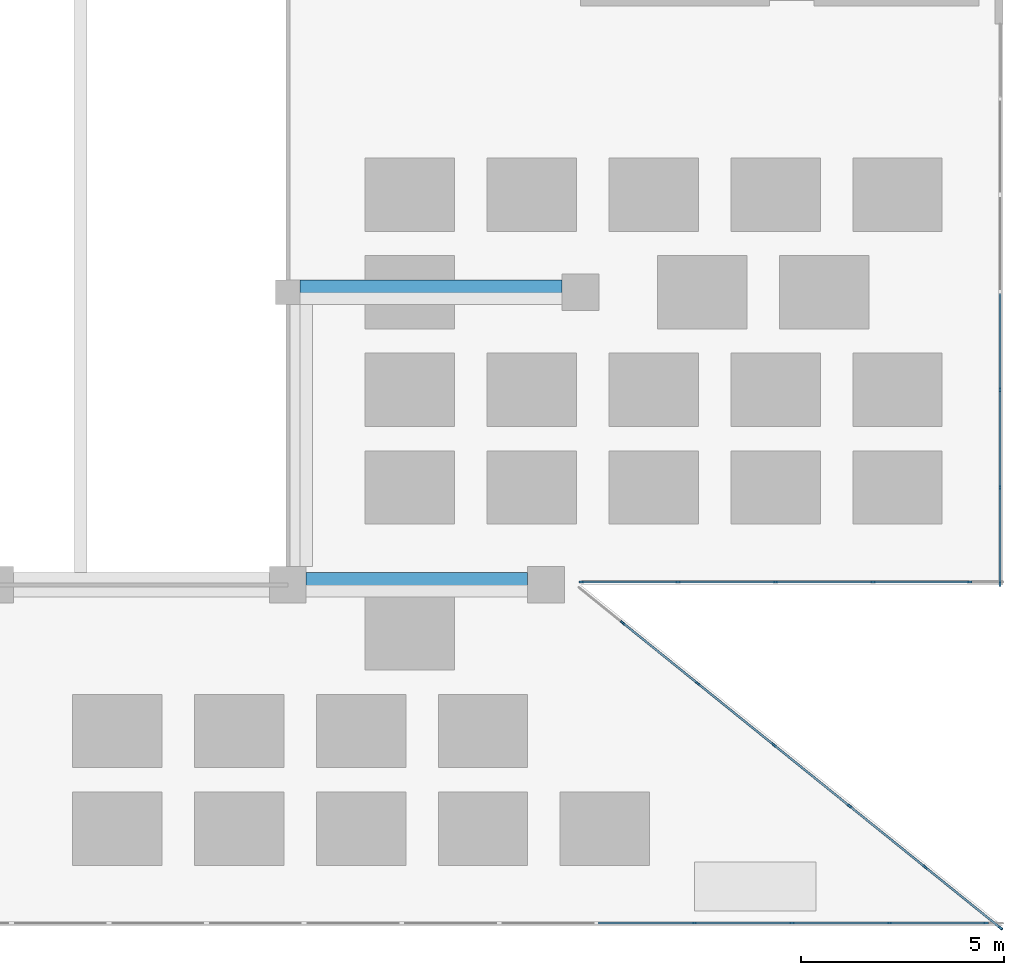
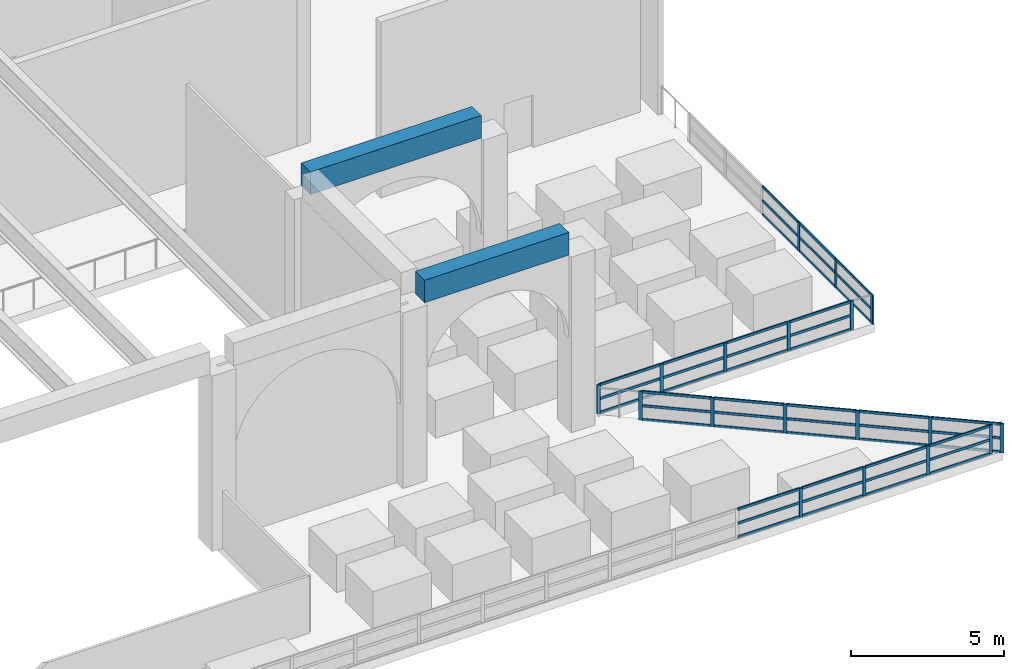
# One storey, part 7 of 17: 66 members, 2 beams, 4 elements without a shape of their own.
"""IFC4 building model written with IfcOpenShell, lengths in metres."""

from ifc_helpers import new_model, si_unit, direction, frame, origin, origin_2d, place, context, subcontext, project, spatial, rectangle, extrude, source, transform, mapped, material, layer, layer_set, material_profile, profile_set, type_object, element, aggregate, save


model = new_model("IFC4")

# Units and contexts
model_context = context("Model", 3, precision=1e-05, world=origin(), true_north=direction((0.0, 1.0)))
body_context = subcontext(model_context, "Body", "Model", "MODEL_VIEW")
ifc_project = project(units=[si_unit("LENGTHUNIT", "METRE"), si_unit("AREAUNIT", "SQUARE_METRE"), si_unit("VOLUMEUNIT", "CUBIC_METRE"), si_unit("PLANEANGLEUNIT", "RADIAN"), si_unit("MASSUNIT", "GRAM", prefix="KILO")], contexts=[model_context])

# Site, building, storey
site_placement = place(None, origin())
site = spatial("IfcSite", under=ifc_project, at=site_placement, CompositionType="ELEMENT")
building_placement = place(site_placement, origin())
building = spatial("IfcBuilding", under=site, at=building_placement, Name="Saffron Iwan Residences", CompositionType="ELEMENT")
storey_placement = place(building_placement, frame((0.0, 0.0, 274.5)))
storey = spatial("IfcBuildingStorey", under=building, at=storey_placement, Name="L74", CompositionType="ELEMENT", Elevation=274.5)

# Beams
ifc_material_1 = material(Name="Concrete C40/50", Category="concrete")
ifc_material_profile_1 = material_profile(ifc_material_1, rectangle(XDim=0.60009765625, YDim=0.89990234375, at=origin_2d()), Name="RC 600x900")
ifc_profile_set_1 = profile_set([ifc_material_profile_1], Name="Concrete C40/50")
beam_type = type_object("IfcBeamType", Name="BEAM RC 600x900 C40/50 TOP 7900", PredefinedType="BEAM", material=ifc_profile_set_1)
shared_shape_1 = source(origin(), body_context, "Body", "SweptSolid", [
    extrude(rectangle(XDim=0.60009765625, YDim=0.89990234375, at=origin_2d()), origin(), (0.0, 0.0, 1.0), 6.449951171875),
])
beam_1_placement = place(storey_placement, frame((65.10009765625, 55.199951171875, 7.449951171875), z_axis=(1.0, 0.0, 0.0), x_axis=(0.0, 1.0, 0.0)))
element("IfcBeam", 1, at=beam_1_placement, inside=storey, type_object=beam_type, Name="Canopy beam", PredefinedType="BEAM", context=body_context, shape_type="MappedRepresentation", body=[
    mapped(shared_shape_1, transform((0.0, 0.0, 0.0))),
])
shared_shape_2 = source(origin(), body_context, "Body", "SweptSolid", [
    extrude(rectangle(XDim=0.60009765625, YDim=0.89990234375, at=origin_2d()), origin(), (0.0, 0.0, 1.0), 5.449951171875),
])
beam_2_placement = place(storey_placement, frame((70.699951171875, 48.0, 7.449951171875), z_axis=(-1.0, 0.0, 0.0), x_axis=(0.0, -1.0, 0.0)))
element("IfcBeam", 2, at=beam_2_placement, inside=storey, type_object=beam_type, Name="Crown ring beam", PredefinedType="BEAM", context=body_context, shape_type="MappedRepresentation", body=[
    mapped(shared_shape_2, transform((0.0, 0.0, 0.0))),
])

# Curtain wall, members
ifc_material_2 = material(Name="Clear glass, laminated double glazed", Category="glass")
ifc_layer = layer(ifc_material_2, 0.10009765625)
ifc_layer_set = layer_set([ifc_layer], Name="Clear glass, laminated double glazed")
curtain_wall_type = type_object("IfcCurtainWallType", Name="CW-F ROOF TERRACE GLAZED GUARD", PredefinedType="NOTDEFINED", material=ifc_layer_set)
curtain_wall_1_placement = place(storey_placement, origin())
curtain_wall_1 = element("IfcCurtainWall", 3, at=curtain_wall_1_placement, inside=storey, type_object=curtain_wall_type, Name="Glazed terrace guard F0.0", PredefinedType="NOTDEFINED")
ifc_material_3 = material(Name="Aluminium 6063-T6", Category="aluminium")
ifc_material_profile_2 = material_profile(ifc_material_3, rectangle(XDim=0.050048828125, YDim=0.1201171875, at=origin_2d()), Name="CW-F MULLION 50 x 120")
ifc_profile_set_2 = profile_set([ifc_material_profile_2], Name="Aluminium 6063-T6")
member_type_1 = type_object("IfcMemberType", Name="CW-F MULLION 50 x 120", PredefinedType="MULLION", material=ifc_profile_set_2)
shared_shape_3 = source(origin(), body_context, "Body", "SweptSolid", [
    extrude(rectangle(XDim=0.050048828125, YDim=0.1201171875, at=origin_2d()), origin(), (0.0, 0.0, 1.0), 1.14990234375),
])
member_1_placement = place(storey_placement, frame((82.33349609375, 39.557373046875, 0.0), z_axis=(0.0, 0.0, 1.0), x_axis=(-0.628337107158, -0.777941180147, 0.0)))
member_1 = element("IfcMember", 4, at=member_1_placement, type_object=member_type_1, Name="CW-F mullion 1", PredefinedType="MULLION", context=body_context, shape_type="MappedRepresentation", body=[
    mapped(shared_shape_3, transform((0.0, 0.0, 0.0))),
])
member_2_placement = place(storey_placement, frame((80.48583984375, 41.049560546875, 0.0), z_axis=(0.0, 0.0, 1.0), x_axis=(-0.628337107158, -0.777941180147, 0.0)))
member_2 = element("IfcMember", 5, at=member_2_placement, type_object=member_type_1, Name="CW-F mullion 2", PredefinedType="MULLION", context=body_context, shape_type="MappedRepresentation", body=[
    mapped(shared_shape_3, transform((0.0, 0.0, 0.0))),
])
member_3_placement = place(storey_placement, frame((78.61865234375, 42.5576171875, 0.0), z_axis=(0.0, 0.0, 1.0), x_axis=(-0.628337107158, -0.777941180147, 0.0)))
member_3 = element("IfcMember", 6, at=member_3_placement, type_object=member_type_1, Name="CW-F mullion 3", PredefinedType="MULLION", context=body_context, shape_type="MappedRepresentation", body=[
    mapped(shared_shape_3, transform((0.0, 0.0, 0.0))),
])
member_4_placement = place(storey_placement, frame((76.751708984375, 44.065673828125, 0.0), z_axis=(0.0, 0.0, 1.0), x_axis=(-0.628337107158, -0.777941180147, 0.0)))
member_4 = element("IfcMember", 7, at=member_4_placement, type_object=member_type_1, Name="CW-F mullion 4", PredefinedType="MULLION", context=body_context, shape_type="MappedRepresentation", body=[
    mapped(shared_shape_3, transform((0.0, 0.0, 0.0))),
])
member_5_placement = place(storey_placement, frame((74.884521484375, 45.57373046875, 0.0), z_axis=(0.0, 0.0, 1.0), x_axis=(-0.628337107158, -0.777941180147, 0.0)))
member_5 = element("IfcMember", 8, at=member_5_placement, type_object=member_type_1, Name="CW-F mullion 5", PredefinedType="MULLION", context=body_context, shape_type="MappedRepresentation", body=[
    mapped(shared_shape_3, transform((0.0, 0.0, 0.0))),
])
member_6_placement = place(storey_placement, frame((73.037109375, 47.06591796875, 0.0), z_axis=(0.0, 0.0, 1.0), x_axis=(-0.628337107158, -0.777941180147, 0.0)))
member_6 = element("IfcMember", 9, at=member_6_placement, type_object=member_type_1, Name="CW-F mullion 6", PredefinedType="MULLION", context=body_context, shape_type="MappedRepresentation", body=[
    mapped(shared_shape_3, transform((0.0, 0.0, 0.0))),
])

curtain_wall_2_placement = place(storey_placement, origin())
curtain_wall_2 = element("IfcCurtainWall", 10, at=curtain_wall_2_placement, inside=storey, type_object=curtain_wall_type, Name="Glazed terrace guard F1.2", PredefinedType="NOTDEFINED")
member_7_placement = place(storey_placement, frame((72.02490234375, 48.074951171875, 0.0), z_axis=(0.0, 0.0, 1.0), x_axis=(0.0, 1.0, 0.0)))
member_7 = element("IfcMember", 11, at=member_7_placement, type_object=member_type_1, Name="CW-F mullion 1", PredefinedType="MULLION", context=body_context, shape_type="MappedRepresentation", body=[
    mapped(shared_shape_3, transform((0.0, 0.0, 0.0))),
])
member_8_placement = place(storey_placement, frame((74.39990234375, 48.074951171875, 0.0), z_axis=(0.0, 0.0, 1.0), x_axis=(0.0, 1.0, 0.0)))
member_8 = element("IfcMember", 12, at=member_8_placement, type_object=member_type_1, Name="CW-F mullion 2", PredefinedType="MULLION", context=body_context, shape_type="MappedRepresentation", body=[
    mapped(shared_shape_3, transform((0.0, 0.0, 0.0))),
])
member_9_placement = place(storey_placement, frame((76.800048828125, 48.074951171875, 0.0), z_axis=(0.0, 0.0, 1.0), x_axis=(0.0, 1.0, 0.0)))
member_9 = element("IfcMember", 13, at=member_9_placement, type_object=member_type_1, Name="CW-F mullion 3", PredefinedType="MULLION", context=body_context, shape_type="MappedRepresentation", body=[
    mapped(shared_shape_3, transform((0.0, 0.0, 0.0))),
])
member_10_placement = place(storey_placement, frame((79.199951171875, 48.074951171875, 0.0), z_axis=(0.0, 0.0, 1.0), x_axis=(0.0, 1.0, 0.0)))
member_10 = element("IfcMember", 14, at=member_10_placement, type_object=member_type_1, Name="CW-F mullion 4", PredefinedType="MULLION", context=body_context, shape_type="MappedRepresentation", body=[
    mapped(shared_shape_3, transform((0.0, 0.0, 0.0))),
])
member_11_placement = place(storey_placement, frame((81.574951171875, 48.074951171875, 0.0), z_axis=(0.0, 0.0, 1.0), x_axis=(0.0, 1.0, 0.0)))
member_11 = element("IfcMember", 15, at=member_11_placement, type_object=member_type_1, Name="CW-F mullion 5", PredefinedType="MULLION", context=body_context, shape_type="MappedRepresentation", body=[
    mapped(shared_shape_3, transform((0.0, 0.0, 0.0))),
])

curtain_wall_3_placement = place(storey_placement, origin())
curtain_wall_3 = element("IfcCurtainWall", 16, at=curtain_wall_3_placement, inside=storey, type_object=curtain_wall_type, Name="Glazed terrace guard F2.4", PredefinedType="NOTDEFINED")
member_12_placement = place(storey_placement, frame((82.324951171875, 48.02490234375, 0.0), z_axis=(0.0, 0.0, 1.0), x_axis=(-1.0, 0.0, 0.0)))
member_12 = element("IfcMember", 17, at=member_12_placement, type_object=member_type_1, Name="CW-F mullion 1", PredefinedType="MULLION", context=body_context, shape_type="MappedRepresentation", body=[
    mapped(shared_shape_3, transform((0.0, 0.0, 0.0))),
])
member_13_placement = place(storey_placement, frame((82.324951171875, 50.39990234375, 0.0), z_axis=(0.0, 0.0, 1.0), x_axis=(-1.0, 0.0, 0.0)))
member_13 = element("IfcMember", 18, at=member_13_placement, type_object=member_type_1, Name="CW-F mullion 2", PredefinedType="MULLION", context=body_context, shape_type="MappedRepresentation", body=[
    mapped(shared_shape_3, transform((0.0, 0.0, 0.0))),
])
member_14_placement = place(storey_placement, frame((82.324951171875, 52.800048828125, 0.0), z_axis=(0.0, 0.0, 1.0), x_axis=(-1.0, 0.0, 0.0)))
member_14 = element("IfcMember", 19, at=member_14_placement, type_object=member_type_1, Name="CW-F mullion 3", PredefinedType="MULLION", context=body_context, shape_type="MappedRepresentation", body=[
    mapped(shared_shape_3, transform((0.0, 0.0, 0.0))),
])

curtain_wall_4_placement = place(storey_placement, origin())
curtain_wall_4 = element("IfcCurtainWall", 20, at=curtain_wall_4_placement, inside=storey, type_object=curtain_wall_type, Name="Glazed terrace guard F11.12", PredefinedType="NOTDEFINED")
member_15_placement = place(storey_placement, frame((74.800048828125, 39.675048828125, 0.0), z_axis=(0.0, 0.0, 1.0), x_axis=(0.0, 1.0, 0.0)))
member_15 = element("IfcMember", 21, at=member_15_placement, type_object=member_type_1, Name="CW-F mullion 23", PredefinedType="MULLION", context=body_context, shape_type="MappedRepresentation", body=[
    mapped(shared_shape_3, transform((0.0, 0.0, 0.0))),
])
member_16_placement = place(storey_placement, frame((77.199951171875, 39.675048828125, 0.0), z_axis=(0.0, 0.0, 1.0), x_axis=(0.0, 1.0, 0.0)))
member_16 = element("IfcMember", 22, at=member_16_placement, type_object=member_type_1, Name="CW-F mullion 24", PredefinedType="MULLION", context=body_context, shape_type="MappedRepresentation", body=[
    mapped(shared_shape_3, transform((0.0, 0.0, 0.0))),
])
member_17_placement = place(storey_placement, frame((79.60009765625, 39.675048828125, 0.0), z_axis=(0.0, 0.0, 1.0), x_axis=(0.0, 1.0, 0.0)))
member_17 = element("IfcMember", 23, at=member_17_placement, type_object=member_type_1, Name="CW-F mullion 25", PredefinedType="MULLION", context=body_context, shape_type="MappedRepresentation", body=[
    mapped(shared_shape_3, transform((0.0, 0.0, 0.0))),
])
member_18_placement = place(storey_placement, frame((81.97509765625, 39.675048828125, 0.0), z_axis=(0.0, 0.0, 1.0), x_axis=(0.0, 1.0, 0.0)))
member_18 = element("IfcMember", 24, at=member_18_placement, type_object=member_type_1, Name="CW-F mullion 26", PredefinedType="MULLION", context=body_context, shape_type="MappedRepresentation", body=[
    mapped(shared_shape_3, transform((0.0, 0.0, 0.0))),
])

# Member
ifc_material_profile_3 = material_profile(ifc_material_3, rectangle(XDim=0.050048828125, YDim=0.10009765625, at=origin_2d()), Name="CW-F TRANSOM 50 x 100")
ifc_profile_set_3 = profile_set([ifc_material_profile_3], Name="Aluminium 6063-T6")
member_type_2 = type_object("IfcMemberType", Name="CW-F TRANSOM 50 x 100", PredefinedType="USERDEFINED", material=ifc_profile_set_3)
shared_shape_4 = source(origin(), body_context, "Body", "SweptSolid", [
    extrude(rectangle(XDim=0.050048828125, YDim=0.10009765625, at=origin_2d()), origin(), (0.0, 0.0, 1.0), 2.324951171875),
])
member_19_placement = place(storey_placement, frame((82.31396484375, 39.572998046875, 0.02490234375), z_axis=(-0.777909591793, 0.628376214537, 0.0), x_axis=(-0.628376214537, -0.777909591793, 0.0)))
member_19 = element("IfcMember", 25, at=member_19_placement, type_object=member_type_2, Name="CW-F transom 1.1", ObjectType="TRANSOM", PredefinedType="USERDEFINED", context=body_context, shape_type="MappedRepresentation", body=[
    mapped(shared_shape_4, transform((0.0, 0.0, 0.0))),
])

member_20_placement = place(storey_placement, frame((82.31396484375, 39.572998046875, 0.574951171875), z_axis=(-0.777909591793, 0.628376214537, 0.0), x_axis=(-0.628376214537, -0.777909591793, 0.0)))
member_20 = element("IfcMember", 26, at=member_20_placement, type_object=member_type_2, Name="CW-F transom 1.2", ObjectType="TRANSOM", PredefinedType="USERDEFINED", context=body_context, shape_type="MappedRepresentation", body=[
    mapped(shared_shape_4, transform((0.0, 0.0, 0.0))),
])

member_21_placement = place(storey_placement, frame((82.31396484375, 39.572998046875, 1.125), z_axis=(-0.777909591793, 0.628376214537, 0.0), x_axis=(-0.628376214537, -0.777909591793, 0.0)))
member_21 = element("IfcMember", 27, at=member_21_placement, type_object=member_type_2, Name="CW-F transom 1.3", ObjectType="TRANSOM", PredefinedType="USERDEFINED", context=body_context, shape_type="MappedRepresentation", body=[
    mapped(shared_shape_4, transform((0.0, 0.0, 0.0))),
])

member_22_placement = place(storey_placement, frame((72.050048828125, 48.074951171875, 0.02490234375), z_axis=(1.0, 0.0, 0.0), x_axis=(0.0, 1.0, 0.0)))
member_22 = element("IfcMember", 28, at=member_22_placement, type_object=member_type_2, Name="CW-F transom 1.1", ObjectType="TRANSOM", PredefinedType="USERDEFINED", context=body_context, shape_type="MappedRepresentation", body=[
    mapped(shared_shape_4, transform((0.0, 0.0, 0.0))),
])

member_23_placement = place(storey_placement, frame((72.050048828125, 48.074951171875, 0.574951171875), z_axis=(1.0, 0.0, 0.0), x_axis=(0.0, 1.0, 0.0)))
member_23 = element("IfcMember", 29, at=member_23_placement, type_object=member_type_2, Name="CW-F transom 1.2", ObjectType="TRANSOM", PredefinedType="USERDEFINED", context=body_context, shape_type="MappedRepresentation", body=[
    mapped(shared_shape_4, transform((0.0, 0.0, 0.0))),
])

member_24_placement = place(storey_placement, frame((72.050048828125, 48.074951171875, 1.125), z_axis=(1.0, 0.0, 0.0), x_axis=(0.0, 1.0, 0.0)))
member_24 = element("IfcMember", 30, at=member_24_placement, type_object=member_type_2, Name="CW-F transom 1.3", ObjectType="TRANSOM", PredefinedType="USERDEFINED", context=body_context, shape_type="MappedRepresentation", body=[
    mapped(shared_shape_4, transform((0.0, 0.0, 0.0))),
])

member_25_placement = place(storey_placement, frame((79.22509765625, 48.074951171875, 0.02490234375), z_axis=(1.0, 0.0, 0.0), x_axis=(0.0, 1.0, 0.0)))
member_25 = element("IfcMember", 31, at=member_25_placement, type_object=member_type_2, Name="CW-F transom 4.1", ObjectType="TRANSOM", PredefinedType="USERDEFINED", context=body_context, shape_type="MappedRepresentation", body=[
    mapped(shared_shape_4, transform((0.0, 0.0, 0.0))),
])

member_26_placement = place(storey_placement, frame((79.22509765625, 48.074951171875, 0.574951171875), z_axis=(1.0, 0.0, 0.0), x_axis=(0.0, 1.0, 0.0)))
member_26 = element("IfcMember", 32, at=member_26_placement, type_object=member_type_2, Name="CW-F transom 4.2", ObjectType="TRANSOM", PredefinedType="USERDEFINED", context=body_context, shape_type="MappedRepresentation", body=[
    mapped(shared_shape_4, transform((0.0, 0.0, 0.0))),
])

member_27_placement = place(storey_placement, frame((79.22509765625, 48.074951171875, 1.125), z_axis=(1.0, 0.0, 0.0), x_axis=(0.0, 1.0, 0.0)))
member_27 = element("IfcMember", 33, at=member_27_placement, type_object=member_type_2, Name="CW-F transom 4.3", ObjectType="TRANSOM", PredefinedType="USERDEFINED", context=body_context, shape_type="MappedRepresentation", body=[
    mapped(shared_shape_4, transform((0.0, 0.0, 0.0))),
])

member_28_placement = place(storey_placement, frame((82.324951171875, 48.050048828125, 0.02490234375), z_axis=(0.0, 1.0, 0.0), x_axis=(-1.0, 0.0, 0.0)))
member_28 = element("IfcMember", 34, at=member_28_placement, type_object=member_type_2, Name="CW-F transom 1.1", ObjectType="TRANSOM", PredefinedType="USERDEFINED", context=body_context, shape_type="MappedRepresentation", body=[
    mapped(shared_shape_4, transform((0.0, 0.0, 0.0))),
])

member_29_placement = place(storey_placement, frame((82.324951171875, 48.050048828125, 0.574951171875), z_axis=(0.0, 1.0, 0.0), x_axis=(-1.0, 0.0, 0.0)))
member_29 = element("IfcMember", 35, at=member_29_placement, type_object=member_type_2, Name="CW-F transom 1.2", ObjectType="TRANSOM", PredefinedType="USERDEFINED", context=body_context, shape_type="MappedRepresentation", body=[
    mapped(shared_shape_4, transform((0.0, 0.0, 0.0))),
])

member_30_placement = place(storey_placement, frame((82.324951171875, 48.050048828125, 1.125), z_axis=(0.0, 1.0, 0.0), x_axis=(-1.0, 0.0, 0.0)))
member_30 = element("IfcMember", 36, at=member_30_placement, type_object=member_type_2, Name="CW-F transom 1.3", ObjectType="TRANSOM", PredefinedType="USERDEFINED", context=body_context, shape_type="MappedRepresentation", body=[
    mapped(shared_shape_4, transform((0.0, 0.0, 0.0))),
])

member_31_placement = place(storey_placement, frame((79.625, 39.675048828125, 0.02490234375), z_axis=(1.0, 0.0, 0.0), x_axis=(0.0, 1.0, 0.0)))
member_31 = element("IfcMember", 37, at=member_31_placement, type_object=member_type_2, Name="CW-F transom 25.1", ObjectType="TRANSOM", PredefinedType="USERDEFINED", context=body_context, shape_type="MappedRepresentation", body=[
    mapped(shared_shape_4, transform((0.0, 0.0, 0.0))),
])

member_32_placement = place(storey_placement, frame((79.625, 39.675048828125, 0.574951171875), z_axis=(1.0, 0.0, 0.0), x_axis=(0.0, 1.0, 0.0)))
member_32 = element("IfcMember", 38, at=member_32_placement, type_object=member_type_2, Name="CW-F transom 25.2", ObjectType="TRANSOM", PredefinedType="USERDEFINED", context=body_context, shape_type="MappedRepresentation", body=[
    mapped(shared_shape_4, transform((0.0, 0.0, 0.0))),
])

member_33_placement = place(storey_placement, frame((79.625, 39.675048828125, 1.125), z_axis=(1.0, 0.0, 0.0), x_axis=(0.0, 1.0, 0.0)))
member_33 = element("IfcMember", 39, at=member_33_placement, type_object=member_type_2, Name="CW-F transom 25.3", ObjectType="TRANSOM", PredefinedType="USERDEFINED", context=body_context, shape_type="MappedRepresentation", body=[
    mapped(shared_shape_4, transform((0.0, 0.0, 0.0))),
])

shared_shape_5 = source(origin(), body_context, "Body", "SweptSolid", [
    extrude(rectangle(XDim=0.050048828125, YDim=0.10009765625, at=origin_2d()), origin(), (0.0, 0.0, 1.0), 2.349853515625),
])
member_34_placement = place(storey_placement, frame((80.46630859375, 41.0654296875, 0.02490234375), z_axis=(-0.777941180204, 0.628337107088, 0.0), x_axis=(-0.628337107088, -0.777941180204, 0.0)))
member_34 = element("IfcMember", 40, at=member_34_placement, type_object=member_type_2, Name="CW-F transom 2.1", ObjectType="TRANSOM", PredefinedType="USERDEFINED", context=body_context, shape_type="MappedRepresentation", body=[
    mapped(shared_shape_5, transform((0.0, 0.0, 0.0))),
])

member_35_placement = place(storey_placement, frame((80.46630859375, 41.0654296875, 0.574951171875), z_axis=(-0.777941180204, 0.628337107088, 0.0), x_axis=(-0.628337107088, -0.777941180204, 0.0)))
member_35 = element("IfcMember", 41, at=member_35_placement, type_object=member_type_2, Name="CW-F transom 2.2", ObjectType="TRANSOM", PredefinedType="USERDEFINED", context=body_context, shape_type="MappedRepresentation", body=[
    mapped(shared_shape_5, transform((0.0, 0.0, 0.0))),
])

member_36_placement = place(storey_placement, frame((80.46630859375, 41.0654296875, 1.125), z_axis=(-0.777941180204, 0.628337107088, 0.0), x_axis=(-0.628337107088, -0.777941180204, 0.0)))
member_36 = element("IfcMember", 42, at=member_36_placement, type_object=member_type_2, Name="CW-F transom 2.3", ObjectType="TRANSOM", PredefinedType="USERDEFINED", context=body_context, shape_type="MappedRepresentation", body=[
    mapped(shared_shape_5, transform((0.0, 0.0, 0.0))),
])

member_37_placement = place(storey_placement, frame((78.599365234375, 42.573486328125, 0.02490234375), z_axis=(-0.777941180204, 0.628337107088, 0.0), x_axis=(-0.628337107088, -0.777941180204, 0.0)))
member_37 = element("IfcMember", 43, at=member_37_placement, type_object=member_type_2, Name="CW-F transom 3.1", ObjectType="TRANSOM", PredefinedType="USERDEFINED", context=body_context, shape_type="MappedRepresentation", body=[
    mapped(shared_shape_5, transform((0.0, 0.0, 0.0))),
])

member_38_placement = place(storey_placement, frame((78.599365234375, 42.573486328125, 0.574951171875), z_axis=(-0.777941180204, 0.628337107088, 0.0), x_axis=(-0.628337107088, -0.777941180204, 0.0)))
member_38 = element("IfcMember", 44, at=member_38_placement, type_object=member_type_2, Name="CW-F transom 3.2", ObjectType="TRANSOM", PredefinedType="USERDEFINED", context=body_context, shape_type="MappedRepresentation", body=[
    mapped(shared_shape_5, transform((0.0, 0.0, 0.0))),
])

member_39_placement = place(storey_placement, frame((78.599365234375, 42.573486328125, 1.125), z_axis=(-0.777941180204, 0.628337107088, 0.0), x_axis=(-0.628337107088, -0.777941180204, 0.0)))
member_39 = element("IfcMember", 45, at=member_39_placement, type_object=member_type_2, Name="CW-F transom 3.3", ObjectType="TRANSOM", PredefinedType="USERDEFINED", context=body_context, shape_type="MappedRepresentation", body=[
    mapped(shared_shape_5, transform((0.0, 0.0, 0.0))),
])

member_40_placement = place(storey_placement, frame((76.732177734375, 44.081298828125, 0.02490234375), z_axis=(-0.777941180204, 0.628337107088, 0.0), x_axis=(-0.628337107088, -0.777941180204, 0.0)))
member_40 = element("IfcMember", 46, at=member_40_placement, type_object=member_type_2, Name="CW-F transom 4.1", ObjectType="TRANSOM", PredefinedType="USERDEFINED", context=body_context, shape_type="MappedRepresentation", body=[
    mapped(shared_shape_5, transform((0.0, 0.0, 0.0))),
])

member_41_placement = place(storey_placement, frame((76.732177734375, 44.081298828125, 0.574951171875), z_axis=(-0.777941180204, 0.628337107088, 0.0), x_axis=(-0.628337107088, -0.777941180204, 0.0)))
member_41 = element("IfcMember", 47, at=member_41_placement, type_object=member_type_2, Name="CW-F transom 4.2", ObjectType="TRANSOM", PredefinedType="USERDEFINED", context=body_context, shape_type="MappedRepresentation", body=[
    mapped(shared_shape_5, transform((0.0, 0.0, 0.0))),
])

member_42_placement = place(storey_placement, frame((76.732177734375, 44.081298828125, 1.125), z_axis=(-0.777941180204, 0.628337107088, 0.0), x_axis=(-0.628337107088, -0.777941180204, 0.0)))
member_42 = element("IfcMember", 48, at=member_42_placement, type_object=member_type_2, Name="CW-F transom 4.3", ObjectType="TRANSOM", PredefinedType="USERDEFINED", context=body_context, shape_type="MappedRepresentation", body=[
    mapped(shared_shape_5, transform((0.0, 0.0, 0.0))),
])

member_43_placement = place(storey_placement, frame((74.425048828125, 48.074951171875, 0.02490234375), z_axis=(1.0, 0.0, 0.0), x_axis=(0.0, 1.0, 0.0)))
member_43 = element("IfcMember", 49, at=member_43_placement, type_object=member_type_2, Name="CW-F transom 2.1", ObjectType="TRANSOM", PredefinedType="USERDEFINED", context=body_context, shape_type="MappedRepresentation", body=[
    mapped(shared_shape_5, transform((0.0, 0.0, 0.0))),
])

member_44_placement = place(storey_placement, frame((74.425048828125, 48.074951171875, 0.574951171875), z_axis=(1.0, 0.0, 0.0), x_axis=(0.0, 1.0, 0.0)))
member_44 = element("IfcMember", 50, at=member_44_placement, type_object=member_type_2, Name="CW-F transom 2.2", ObjectType="TRANSOM", PredefinedType="USERDEFINED", context=body_context, shape_type="MappedRepresentation", body=[
    mapped(shared_shape_5, transform((0.0, 0.0, 0.0))),
])

member_45_placement = place(storey_placement, frame((74.425048828125, 48.074951171875, 1.125), z_axis=(1.0, 0.0, 0.0), x_axis=(0.0, 1.0, 0.0)))
member_45 = element("IfcMember", 51, at=member_45_placement, type_object=member_type_2, Name="CW-F transom 2.3", ObjectType="TRANSOM", PredefinedType="USERDEFINED", context=body_context, shape_type="MappedRepresentation", body=[
    mapped(shared_shape_5, transform((0.0, 0.0, 0.0))),
])

member_46_placement = place(storey_placement, frame((82.324951171875, 50.425048828125, 0.02490234375), z_axis=(0.0, 1.0, 0.0), x_axis=(-1.0, 0.0, 0.0)))
member_46 = element("IfcMember", 52, at=member_46_placement, type_object=member_type_2, Name="CW-F transom 2.1", ObjectType="TRANSOM", PredefinedType="USERDEFINED", context=body_context, shape_type="MappedRepresentation", body=[
    mapped(shared_shape_5, transform((0.0, 0.0, 0.0))),
])

member_47_placement = place(storey_placement, frame((82.324951171875, 50.425048828125, 0.574951171875), z_axis=(0.0, 1.0, 0.0), x_axis=(-1.0, 0.0, 0.0)))
member_47 = element("IfcMember", 53, at=member_47_placement, type_object=member_type_2, Name="CW-F transom 2.2", ObjectType="TRANSOM", PredefinedType="USERDEFINED", context=body_context, shape_type="MappedRepresentation", body=[
    mapped(shared_shape_5, transform((0.0, 0.0, 0.0))),
])

member_48_placement = place(storey_placement, frame((82.324951171875, 50.425048828125, 1.125), z_axis=(0.0, 1.0, 0.0), x_axis=(-1.0, 0.0, 0.0)))
member_48 = element("IfcMember", 54, at=member_48_placement, type_object=member_type_2, Name="CW-F transom 2.3", ObjectType="TRANSOM", PredefinedType="USERDEFINED", context=body_context, shape_type="MappedRepresentation", body=[
    mapped(shared_shape_5, transform((0.0, 0.0, 0.0))),
])

member_49_placement = place(storey_placement, frame((72.425048828125, 39.675048828125, 0.02490234375), z_axis=(1.0, 0.0, 0.0), x_axis=(0.0, 1.0, 0.0)))
member_49 = element("IfcMember", 55, at=member_49_placement, type_object=member_type_2, Name="CW-F transom 22.1", ObjectType="TRANSOM", PredefinedType="USERDEFINED", context=body_context, shape_type="MappedRepresentation", body=[
    mapped(shared_shape_5, transform((0.0, 0.0, 0.0))),
])

member_50_placement = place(storey_placement, frame((72.425048828125, 39.675048828125, 0.574951171875), z_axis=(1.0, 0.0, 0.0), x_axis=(0.0, 1.0, 0.0)))
member_50 = element("IfcMember", 56, at=member_50_placement, type_object=member_type_2, Name="CW-F transom 22.2", ObjectType="TRANSOM", PredefinedType="USERDEFINED", context=body_context, shape_type="MappedRepresentation", body=[
    mapped(shared_shape_5, transform((0.0, 0.0, 0.0))),
])

member_51_placement = place(storey_placement, frame((72.425048828125, 39.675048828125, 1.125), z_axis=(1.0, 0.0, 0.0), x_axis=(0.0, 1.0, 0.0)))
member_51 = element("IfcMember", 57, at=member_51_placement, type_object=member_type_2, Name="CW-F transom 22.3", ObjectType="TRANSOM", PredefinedType="USERDEFINED", context=body_context, shape_type="MappedRepresentation", body=[
    mapped(shared_shape_5, transform((0.0, 0.0, 0.0))),
])

member_52_placement = place(storey_placement, frame((77.22509765625, 39.675048828125, 0.02490234375), z_axis=(1.0, 0.0, 0.0), x_axis=(0.0, 1.0, 0.0)))
member_52 = element("IfcMember", 58, at=member_52_placement, type_object=member_type_2, Name="CW-F transom 24.1", ObjectType="TRANSOM", PredefinedType="USERDEFINED", context=body_context, shape_type="MappedRepresentation", body=[
    mapped(shared_shape_5, transform((0.0, 0.0, 0.0))),
])

member_53_placement = place(storey_placement, frame((77.22509765625, 39.675048828125, 0.574951171875), z_axis=(1.0, 0.0, 0.0), x_axis=(0.0, 1.0, 0.0)))
member_53 = element("IfcMember", 59, at=member_53_placement, type_object=member_type_2, Name="CW-F transom 24.2", ObjectType="TRANSOM", PredefinedType="USERDEFINED", context=body_context, shape_type="MappedRepresentation", body=[
    mapped(shared_shape_5, transform((0.0, 0.0, 0.0))),
])

member_54_placement = place(storey_placement, frame((77.22509765625, 39.675048828125, 1.125), z_axis=(1.0, 0.0, 0.0), x_axis=(0.0, 1.0, 0.0)))
member_54 = element("IfcMember", 60, at=member_54_placement, type_object=member_type_2, Name="CW-F transom 24.3", ObjectType="TRANSOM", PredefinedType="USERDEFINED", context=body_context, shape_type="MappedRepresentation", body=[
    mapped(shared_shape_5, transform((0.0, 0.0, 0.0))),
])

shared_shape_6 = source(origin(), body_context, "Body", "SweptSolid", [
    extrude(rectangle(XDim=0.050048828125, YDim=0.10009765625, at=origin_2d()), origin(), (0.0, 0.0, 1.0), 2.3251953125),
])
member_55_placement = place(storey_placement, frame((74.865234375, 45.58935546875, 0.02490234375), z_axis=(-0.777951050373, 0.628324886682, 0.0), x_axis=(-0.628324886682, -0.777951050373, 0.0)))
member_55 = element("IfcMember", 61, at=member_55_placement, type_object=member_type_2, Name="CW-F transom 5.1", ObjectType="TRANSOM", PredefinedType="USERDEFINED", context=body_context, shape_type="MappedRepresentation", body=[
    mapped(shared_shape_6, transform((0.0, 0.0, 0.0))),
])

member_56_placement = place(storey_placement, frame((74.865234375, 45.58935546875, 0.574951171875), z_axis=(-0.777951050373, 0.628324886682, 0.0), x_axis=(-0.628324886682, -0.777951050373, 0.0)))
member_56 = element("IfcMember", 62, at=member_56_placement, type_object=member_type_2, Name="CW-F transom 5.2", ObjectType="TRANSOM", PredefinedType="USERDEFINED", context=body_context, shape_type="MappedRepresentation", body=[
    mapped(shared_shape_6, transform((0.0, 0.0, 0.0))),
])

member_57_placement = place(storey_placement, frame((74.865234375, 45.58935546875, 1.125), z_axis=(-0.777951050373, 0.628324886682, 0.0), x_axis=(-0.628324886682, -0.777951050373, 0.0)))
member_57 = element("IfcMember", 63, at=member_57_placement, type_object=member_type_2, Name="CW-F transom 5.3", ObjectType="TRANSOM", PredefinedType="USERDEFINED", context=body_context, shape_type="MappedRepresentation", body=[
    mapped(shared_shape_6, transform((0.0, 0.0, 0.0))),
])

aggregate(curtain_wall_1, [member_1, member_2, member_3, member_4, member_5, member_6, member_19, member_20, member_21, member_34, member_35, member_36, member_37, member_38, member_39, member_40, member_41, member_42, member_55, member_56, member_57])

shared_shape_7 = source(origin(), body_context, "Body", "SweptSolid", [
    extrude(rectangle(XDim=0.050048828125, YDim=0.10009765625, at=origin_2d()), origin(), (0.0, 0.0, 1.0), 2.35009765625),
])
member_58_placement = place(storey_placement, frame((76.824951171875, 48.074951171875, 0.02490234375), z_axis=(1.0, 0.0, 0.0), x_axis=(0.0, 1.0, 0.0)))
member_58 = element("IfcMember", 64, at=member_58_placement, type_object=member_type_2, Name="CW-F transom 3.1", ObjectType="TRANSOM", PredefinedType="USERDEFINED", context=body_context, shape_type="MappedRepresentation", body=[
    mapped(shared_shape_7, transform((0.0, 0.0, 0.0))),
])

member_59_placement = place(storey_placement, frame((76.824951171875, 48.074951171875, 0.574951171875), z_axis=(1.0, 0.0, 0.0), x_axis=(0.0, 1.0, 0.0)))
member_59 = element("IfcMember", 65, at=member_59_placement, type_object=member_type_2, Name="CW-F transom 3.2", ObjectType="TRANSOM", PredefinedType="USERDEFINED", context=body_context, shape_type="MappedRepresentation", body=[
    mapped(shared_shape_7, transform((0.0, 0.0, 0.0))),
])

member_60_placement = place(storey_placement, frame((76.824951171875, 48.074951171875, 1.125), z_axis=(1.0, 0.0, 0.0), x_axis=(0.0, 1.0, 0.0)))
member_60 = element("IfcMember", 66, at=member_60_placement, type_object=member_type_2, Name="CW-F transom 3.3", ObjectType="TRANSOM", PredefinedType="USERDEFINED", context=body_context, shape_type="MappedRepresentation", body=[
    mapped(shared_shape_7, transform((0.0, 0.0, 0.0))),
])

aggregate(curtain_wall_2, [member_7, member_8, member_9, member_10, member_11, member_22, member_23, member_24, member_43, member_44, member_45, member_58, member_59, member_60, member_25, member_26, member_27])

member_61_placement = place(storey_placement, frame((82.324951171875, 52.824951171875, 0.02490234375), z_axis=(0.0, 1.0, 0.0), x_axis=(-1.0, 0.0, 0.0)))
member_61 = element("IfcMember", 67, at=member_61_placement, type_object=member_type_2, Name="CW-F transom 3.1", ObjectType="TRANSOM", PredefinedType="USERDEFINED", context=body_context, shape_type="MappedRepresentation", body=[
    mapped(shared_shape_7, transform((0.0, 0.0, 0.0))),
])

member_62_placement = place(storey_placement, frame((82.324951171875, 52.824951171875, 0.574951171875), z_axis=(0.0, 1.0, 0.0), x_axis=(-1.0, 0.0, 0.0)))
member_62 = element("IfcMember", 68, at=member_62_placement, type_object=member_type_2, Name="CW-F transom 3.2", ObjectType="TRANSOM", PredefinedType="USERDEFINED", context=body_context, shape_type="MappedRepresentation", body=[
    mapped(shared_shape_7, transform((0.0, 0.0, 0.0))),
])

member_63_placement = place(storey_placement, frame((82.324951171875, 52.824951171875, 1.125), z_axis=(0.0, 1.0, 0.0), x_axis=(-1.0, 0.0, 0.0)))
member_63 = element("IfcMember", 69, at=member_63_placement, type_object=member_type_2, Name="CW-F transom 3.3", ObjectType="TRANSOM", PredefinedType="USERDEFINED", context=body_context, shape_type="MappedRepresentation", body=[
    mapped(shared_shape_7, transform((0.0, 0.0, 0.0))),
])

aggregate(curtain_wall_3, [member_12, member_13, member_14, member_28, member_29, member_30, member_46, member_47, member_48, member_61, member_62, member_63])

member_64_placement = place(storey_placement, frame((74.824951171875, 39.675048828125, 0.02490234375), z_axis=(1.0, 0.0, 0.0), x_axis=(0.0, 1.0, 0.0)))
member_64 = element("IfcMember", 70, at=member_64_placement, type_object=member_type_2, Name="CW-F transom 23.1", ObjectType="TRANSOM", PredefinedType="USERDEFINED", context=body_context, shape_type="MappedRepresentation", body=[
    mapped(shared_shape_7, transform((0.0, 0.0, 0.0))),
])

member_65_placement = place(storey_placement, frame((74.824951171875, 39.675048828125, 0.574951171875), z_axis=(1.0, 0.0, 0.0), x_axis=(0.0, 1.0, 0.0)))
member_65 = element("IfcMember", 71, at=member_65_placement, type_object=member_type_2, Name="CW-F transom 23.2", ObjectType="TRANSOM", PredefinedType="USERDEFINED", context=body_context, shape_type="MappedRepresentation", body=[
    mapped(shared_shape_7, transform((0.0, 0.0, 0.0))),
])

member_66_placement = place(storey_placement, frame((74.824951171875, 39.675048828125, 1.125), z_axis=(1.0, 0.0, 0.0), x_axis=(0.0, 1.0, 0.0)))
member_66 = element("IfcMember", 72, at=member_66_placement, type_object=member_type_2, Name="CW-F transom 23.3", ObjectType="TRANSOM", PredefinedType="USERDEFINED", context=body_context, shape_type="MappedRepresentation", body=[
    mapped(shared_shape_7, transform((0.0, 0.0, 0.0))),
])

aggregate(curtain_wall_4, [member_15, member_16, member_17, member_18, member_49, member_50, member_51, member_64, member_65, member_66, member_52, member_53, member_54, member_31, member_32, member_33])

save(model, "model.ifc")
